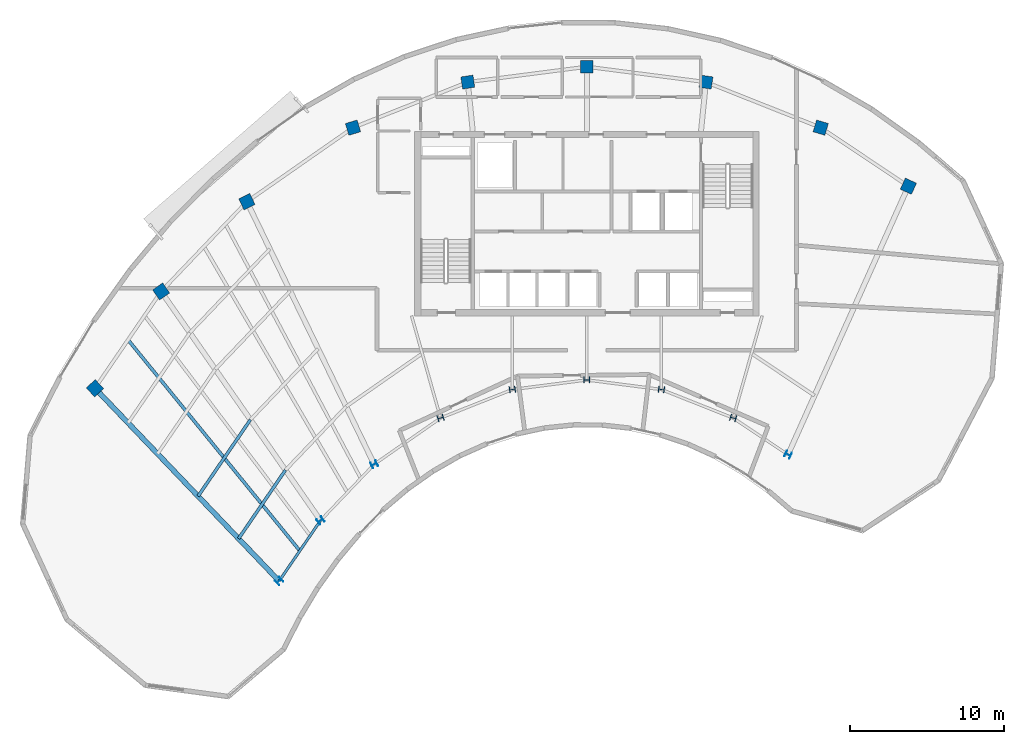
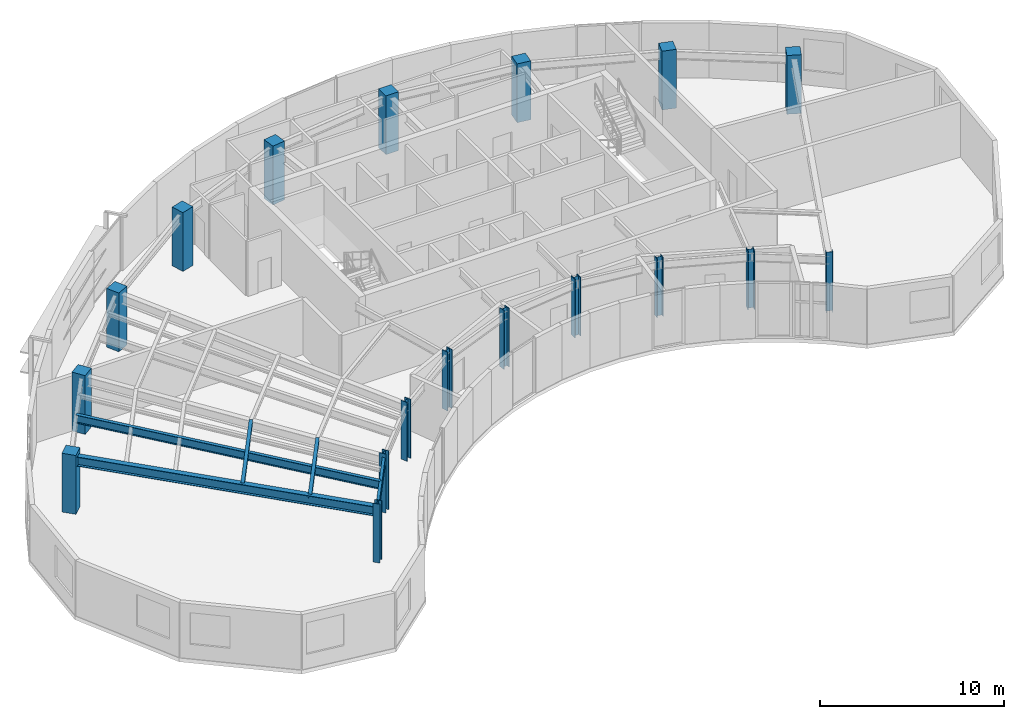
# One storey, part 1 of 12: 18 columns, 5 beams.
"""IFC4 building model written with IfcOpenShell, lengths in metres."""

import ifcopenshell
import ifcopenshell.guid

model = None  # the IFC model being written
_history = None  # IfcOwnerHistory: only IFC2X3 demands one
_inside = {}  # id of a spatial element -> (the spatial element, [elements in it])
_under = {}  # id of a project, library or spatial element -> (it, [spatial elements below it])
_declared = {}  # id of a project -> (the project, [libraries it declares])
_typed = {}  # id of a type object -> (the type object, [elements of that type])
_made_of = {}  # id of a material, layer set ... -> (it, [elements and type objects made of it])


def new_model(schema):
    """Start an empty IFC model of exactly this schema.

    Asked for "IFC4X3", IfcOpenShell would pick the latest addendum, in which some entities
    have other attributes; the version numbers below select the first issue.
    IFC2X3 requires an IfcOwnerHistory on every rooted entity: one is made here for all.
    """
    global model, _history
    if schema == "IFC4X3":
        model = ifcopenshell.file(schema_version=(4, 3, 0, 0))
    else:
        model = ifcopenshell.file(schema=schema)
    _inside.clear()
    _under.clear()
    _declared.clear()
    _typed.clear()
    _made_of.clear()
    _history = None
    if model.schema == "IFC2X3":
        org = make("IfcOrganization", Name="unknown")
        user = make(
            "IfcPersonAndOrganization",
            ThePerson=make("IfcPerson", FamilyName="unknown"),
            TheOrganization=org,
        )
        app = make(
            "IfcApplication",
            ApplicationDeveloper=org,
            Version="unknown",
            ApplicationFullName="unknown",
            ApplicationIdentifier="unknown",
        )
        _history = make(
            "IfcOwnerHistory",
            OwningUser=user,
            OwningApplication=app,
            ChangeAction="ADDED",
            CreationDate=0,
        )
    return model


def make(cls, **values):
    """One entity of the class cls with the attributes given. An attribute that is None is left unset."""
    return model.create_entity(
        cls, **{name: value for name, value in values.items() if value is not None}
    )


def rooted(cls, **values):
    """An entity with a GlobalId (a new one), such as an element, a storey or a relation."""
    return make(cls, GlobalId=ifcopenshell.guid.new(), OwnerHistory=_history, **values)


def si_unit(unit_type, name, prefix=None):
    """IfcSIUnit, for example si_unit("LENGTHUNIT", "METRE", prefix="MILLI")."""
    return make("IfcSIUnit", UnitType=unit_type, Prefix=prefix, Name=name)


def assignment(units):
    """IfcUnitAssignment: the units of a project."""
    return None if units is None else make("IfcUnitAssignment", Units=units)


def point(xyz):
    """IfcCartesianPoint."""
    return None if xyz is None else make("IfcCartesianPoint", Coordinates=xyz)


def direction(xyz):
    """IfcDirection."""
    return None if xyz is None else make("IfcDirection", DirectionRatios=xyz)


def frame(location, z_axis=None, x_axis=None):
    """IfcAxis2Placement3D, a coordinate frame: its origin and axes. An axis left out is left unset."""
    return make(
        "IfcAxis2Placement3D",
        Location=point(location),
        Axis=direction(z_axis),
        RefDirection=direction(x_axis),
    )


def frame_2d(location, x_axis=None):
    """IfcAxis2Placement2D, a coordinate frame in the plane: its origin and x axis."""
    return make(
        "IfcAxis2Placement2D", Location=point(location), RefDirection=direction(x_axis)
    )


def origin():
    """The frame at (0, 0, 0) with its axes left unset."""
    return frame((0.0, 0.0, 0.0))


def origin_2d():
    """The frame at (0, 0) in the plane with its x axis left unset."""
    return frame_2d((0.0, 0.0))


def place(relative_to, where):
    """IfcLocalPlacement: puts the frame where relative to a parent placement (None: the world)."""
    return make(
        "IfcLocalPlacement", PlacementRelTo=relative_to, RelativePlacement=where
    )


def context(
    kind, dimensions, precision=None, world=None, true_north=None, identifier=None
):
    """IfcGeometricRepresentationContext, for example the 3D "Model" context."""
    return make(
        "IfcGeometricRepresentationContext",
        ContextIdentifier=identifier,
        ContextType=kind,
        CoordinateSpaceDimension=dimensions,
        Precision=precision,
        WorldCoordinateSystem=world,
        TrueNorth=true_north,
    )


def subcontext(parent, identifier, kind, view, scale=None):
    """IfcGeometricRepresentationSubContext, for example "Body" below "Model"."""
    return make(
        "IfcGeometricRepresentationSubContext",
        ContextIdentifier=identifier,
        ContextType=kind,
        ParentContext=parent,
        TargetScale=scale,
        TargetView=view,
    )


def project(units=None, contexts=None):
    """IfcProject with its units and contexts."""
    return rooted(
        "IfcProject",
        Name="project",
        RepresentationContexts=contexts,
        UnitsInContext=assignment(units),
    )


def spatial(cls, under=None, at=None, **own):
    """A site, building, storey or space (cls), placed at a placement, below another one or the project."""
    s = rooted(cls, ObjectPlacement=at, **own)
    if under is not None:
        _under.setdefault(under.id(), (under, []))[1].append(s)
    return s


def profile(cls, at=None, kind="AREA", **sizes):
    """A parametric profile (cls). Its sizes go by their IFC names, for example OverallWidth=200.0."""
    return make(cls, ProfileType=kind, Position=at, **sizes)


def rectangle(**sizes):
    """IfcRectangleProfileDef."""
    return profile("IfcRectangleProfileDef", **sizes)


def i_section(**sizes):
    """IfcIShapeProfileDef."""
    return profile("IfcIShapeProfileDef", **sizes)


def extrude(swept, where, along, depth):
    """IfcExtrudedAreaSolid: the profile swept, set in the frame where, extruded along a direction by depth."""
    return make(
        "IfcExtrudedAreaSolid",
        SweptArea=swept,
        Position=where,
        ExtrudedDirection=direction(along),
        Depth=depth,
    )


def shape(context_of_items, identifier, shape_type, items):
    """IfcShapeRepresentation: the items that make up one representation, for example the "Body"."""
    return make(
        "IfcShapeRepresentation",
        ContextOfItems=context_of_items,
        RepresentationIdentifier=identifier,
        RepresentationType=shape_type,
        Items=items,
    )


def source(mapping_origin, context_of_items, identifier, shape_type, items):
    """IfcRepresentationMap: a shape defined once, which mapped items show again and again."""
    return make(
        "IfcRepresentationMap",
        MappingOrigin=mapping_origin,
        MappedRepresentation=shape(context_of_items, identifier, shape_type, items),
    )


def transform(
    local_origin,
    x_axis=None,
    y_axis=None,
    z_axis=None,
    scale=None,
    scale2=None,
    scale3=None,
    uniform=True,
):
    """IfcCartesianTransformationOperator3D, or its non-uniform kind. x_axis, y_axis, z_axis: its Axis1, 2, 3."""
    if uniform:
        return make(
            "IfcCartesianTransformationOperator3D",
            Axis1=direction(x_axis),
            Axis2=direction(y_axis),
            LocalOrigin=point(local_origin),
            Scale=scale,
            Axis3=direction(z_axis),
        )
    return make(
        "IfcCartesianTransformationOperator3DnonUniform",
        Axis1=direction(x_axis),
        Axis2=direction(y_axis),
        LocalOrigin=point(local_origin),
        Scale=scale,
        Axis3=direction(z_axis),
        Scale2=scale2,
        Scale3=scale3,
    )


def mapped(mapping_source, mapping_target):
    """IfcMappedItem: shows the shape of a source again, moved by a transform."""
    return make(
        "IfcMappedItem", MappingSource=mapping_source, MappingTarget=mapping_target
    )


def material(Name=None, Category=None):
    """IfcMaterial."""
    return make("IfcMaterial", Name=Name, Category=Category)


def material_profile(
    of_material, cross_section, Name=None, Category=None, Priority=None
):
    """IfcMaterialProfile: a cross section and its material."""
    return make(
        "IfcMaterialProfile",
        Name=Name,
        Material=of_material,
        Profile=cross_section,
        Priority=Priority,
        Category=Category,
    )


def profile_set(profiles, Name=None, composite=None):
    """IfcMaterialProfileSet."""
    return make(
        "IfcMaterialProfileSet",
        Name=Name,
        MaterialProfiles=profiles,
        CompositeProfile=composite,
    )


def made_of(thing, what):
    """Note that an element or type object is made of a material, layer set ...; save() writes the relation."""
    if what is not None:
        _made_of.setdefault(what.id(), (what, []))[1].append(thing)
    return thing


def type_object(cls, material=None, **own):
    """A type object (cls), such as IfcWallType, which elements share."""
    return made_of(rooted(cls, **own), material)


def type_shapes(of_type, sources):
    """Give a type object the sources (RepresentationMaps) that its elements show as mapped items."""
    of_type.RepresentationMaps = sources


def element(
    cls,
    number,
    at=None,
    inside=None,
    cuts=None,
    type_object=None,
    material=None,
    context=None,
    identifier="Body",
    shape_type=None,
    held_by="IfcProductDefinitionShape",
    body=None,
    shapes=None,
    **own,
):
    """One element of the class cls, such as IfcWall. Its Tag is "e" and its number.

    at: its placement. inside: the storey or other place that contains it. cuts: it is an
    opening in that element (IfcRelVoidsElement). A single representation is given by context,
    identifier, shape_type and body (its items); several are given by shapes. held_by: the class
    of the entity that holds the representations. save() writes the other relations.
    """
    e = rooted(cls, Tag="e%d" % number, ObjectPlacement=at, **own)
    if body is not None:
        shapes = [shape(context, identifier, shape_type, body)]
    if shapes is not None:
        e.Representation = make(held_by, Representations=shapes)
    if inside is not None:
        _inside.setdefault(inside.id(), (inside, []))[1].append(e)
    if cuts is not None:
        rooted(
            "IfcRelVoidsElement", RelatingBuildingElement=cuts, RelatedOpeningElement=e
        )
    if type_object is not None:
        _typed.setdefault(type_object.id(), (type_object, []))[1].append(e)
    return made_of(e, material)


def aggregate(whole, parts):
    """IfcRelAggregates: a whole, such as a stair, and the parts it consists of."""
    return rooted("IfcRelAggregates", RelatingObject=whole, RelatedObjects=parts)


def save(model, path):
    """Write the relations noted so far, then the file.

    IfcRelAggregates (storeys below a building ...), IfcRelContainedInSpatialStructure (elements
    in a storey), IfcRelDefinesByType, IfcRelAssociatesMaterial and IfcRelDeclares: one each for
    every whole, place, type object, material and project.
    """
    for whole, parts in _under.values():
        aggregate(whole, parts)
    for where, things in _inside.values():
        rooted(
            "IfcRelContainedInSpatialStructure",
            RelatedElements=things,
            RelatingStructure=where,
        )
    for kind, things in _typed.values():
        rooted("IfcRelDefinesByType", RelatedObjects=things, RelatingType=kind)
    for what, things in _made_of.values():
        rooted("IfcRelAssociatesMaterial", RelatedObjects=things, RelatingMaterial=what)
    for by, libraries in _declared.values():
        rooted("IfcRelDeclares", RelatingContext=by, RelatedDefinitions=libraries)
    model.write(path)


model = new_model("IFC4")

# Units and contexts
model_context = context("Model", 3, precision=1e-05, world=origin(), true_north=direction((0.0, 1.0)))
body_context = subcontext(model_context, "Body", "Model", "MODEL_VIEW")
ifc_project = project(units=[si_unit("LENGTHUNIT", "METRE"), si_unit("AREAUNIT", "SQUARE_METRE"), si_unit("VOLUMEUNIT", "CUBIC_METRE"), si_unit("PLANEANGLEUNIT", "RADIAN"), si_unit("MASSUNIT", "GRAM", prefix="KILO")], contexts=[model_context])

# Site, building, storey
site_placement = place(None, origin())
site = spatial("IfcSite", under=ifc_project, at=site_placement, CompositionType="ELEMENT")
building_placement = place(site_placement, origin())
building = spatial("IfcBuilding", under=site, at=building_placement, Name="Breltana Convention Tower", CompositionType="ELEMENT")
storey_placement = place(building_placement, frame((0.0, 0.0, 267.89990234375)))
storey = spatial("IfcBuildingStorey", under=building, at=storey_placement, Name="L65", CompositionType="ELEMENT", Elevation=267.89990234375)

# Columns
ifc_material_1 = material(Name="Steel ASTM A992 Grade 50", Category="steel")
ifc_material_profile_1 = material_profile(ifc_material_1, i_section(OverallWidth=0.39892578125, OverallDepth=0.386962890625, WebThickness=0.02099609375, FlangeThickness=0.033203125, at=origin_2d()), Name="W14X176")
ifc_profile_set_1 = profile_set([ifc_material_profile_1], Name="Steel ASTM A992 Grade 50")
column_type_1 = type_object("IfcColumnType", Name="COL-STL-W14X176", PredefinedType="COLUMN", material=ifc_profile_set_1)
shared_shape_1 = source(origin(), body_context, "Body", "SweptSolid", [
    extrude(i_section(OverallWidth=0.39892578125, OverallDepth=0.386962890625, WebThickness=0.02099609375, FlangeThickness=0.033203125, at=origin_2d()), origin(), (0.0, 0.0, 1.0), 3.900146484375),
])
for number, where, z_axis, x_axis, name in (
    (1, (27.984619140625, 42.95458984375, 0.0), (0.0, 0.0, 1.0), (-0.690756218984, 0.723087716626, 0.0), "L65 Tower Column R01-IN"),
    (2, (30.67724609375, 46.892333984375, 0.0), (0.0, 0.0, 1.0), (-0.571143442153, 0.820850271661, 0.0), "L65 Tower Column R02-IN"),
    (3, (34.166259765625, 50.544921875, 0.0), (0.0, 0.0, 1.0), (-0.436173672171, 0.899862504889, 0.0), "L65 Tower Column R03-IN"),
    (4, (38.485107421875, 53.5576171875, 0.0), (0.0, 0.0, 1.0), (-0.288697611798, 0.957420330337, 0.0), "L65 Tower Column R04-IN"),
    (5, (43.153564453125, 55.41064453125, 0.0), (0.0, 0.0, 1.0), (-0.143492621991, 0.98965138682, 0.0), "L65 Tower Column R05-IN"),
    (6, (48.0, 56.035888671875, 0.0), (0.0, 0.0, 1.0), (0.0, 1.0, 0.0), "L65 Tower Column R06-IN"),
    (7, (52.846435546875, 55.41064453125, 0.0), (0.0, 0.0, 1.0), (0.143492621991, 0.98965138682, 0.0), "L65 Tower Column R07-IN"),
    (8, (57.514892578125, 53.5576171875, 0.0), (0.0, 0.0, 1.0), (0.288697611798, 0.957420330337, 0.0), "L65 Tower Column R08-IN"),
    (9, (61.08203125, 51.174560546875, 0.0), (0.0, 0.0, 1.0), (0.409126902895, 0.912477494148, 0.0), "L65 Tower Column R09-IN"),
):
    element("IfcColumn", number, at=place(storey_placement, frame(where, z_axis=z_axis, x_axis=x_axis)), inside=storey, type_object=column_type_1, Name=name, PredefinedType="COLUMN", context=body_context, shape_type="MappedRepresentation", body=[
        mapped(shared_shape_1, transform((0.0, 0.0, 0.0), scale=1.0)),
    ])
ifc_material_2 = material(Name="Concrete C50/60", Category="concrete")
ifc_material_profile_2 = material_profile(ifc_material_2, rectangle(XDim=0.800048828125, YDim=0.800048828125, at=origin_2d()), Name="RC-COL-800X800")
ifc_profile_set_2 = profile_set([ifc_material_profile_2], Name="Concrete C50/60")
column_type_2 = type_object("IfcColumnType", Name="COL-RC-800", PredefinedType="COLUMN", material=ifc_profile_set_2)
shared_shape_2 = source(origin(), body_context, "Body", "SweptSolid", [
    extrude(rectangle(XDim=0.800048828125, YDim=0.800048828125, at=origin_2d()), origin(), (0.0, 0.0, 1.0), 3.900146484375),
])
for number, where, z_axis, x_axis, name in (
    (10, (16.0068359375, 55.494384765625, 0.0), (0.0, 0.0, 1.0), (-0.690756218984, 0.723087716626, 0.0), "L65 Tower Column R01-OUT"),
    (11, (20.310791015625, 61.78857421875, 0.0), (0.0, 0.0, 1.0), (-0.571143442153, 0.820850271661, 0.0), "L65 Tower Column R02-OUT"),
    (12, (25.8876953125, 67.626953125, 0.0), (0.0, 0.0, 1.0), (-0.436173672171, 0.899862504889, 0.0), "L65 Tower Column R03-OUT"),
    (13, (32.791015625, 72.4423828125, 0.0), (0.0, 0.0, 1.0), (-0.288697611798, 0.957420330337, 0.0), "L65 Tower Column R04-OUT"),
    (14, (40.253173828125, 75.404296875, 0.0), (0.0, 0.0, 1.0), (-0.143492621991, 0.98965138682, 0.0), "L65 Tower Column R05-OUT"),
    (15, (48.0, 76.404052734375, 0.0), (0.0, 0.0, 1.0), (0.0, 1.0, 0.0), "L65 Tower Column R06-OUT"),
    (16, (55.746826171875, 75.404296875, 0.0), (0.0, 0.0, 1.0), (0.143492621991, 0.98965138682, 0.0), "L65 Tower Column R07-OUT"),
    (17, (63.208984375, 72.4423828125, 0.0), (0.0, 0.0, 1.0), (0.288697611798, 0.957420330337, 0.0), "L65 Tower Column R08-OUT"),
    (18, (68.910400390625, 68.63330078125, 0.0), (0.0, 0.0, 1.0), (0.409126902895, 0.912477494148, 0.0), "L65 Tower Column R09-OUT"),
):
    element("IfcColumn", number, at=place(storey_placement, frame(where, z_axis=z_axis, x_axis=x_axis)), inside=storey, type_object=column_type_2, Name=name, PredefinedType="COLUMN", context=body_context, shape_type="MappedRepresentation", body=[
        mapped(shared_shape_2, transform((0.0, 0.0, 0.0), scale=1.0)),
    ])

# Beams
ifc_material_profile_3 = material_profile(ifc_material_1, i_section(OverallWidth=0.166015625, OverallDepth=0.534912109375, WebThickness=0.01025390625, FlangeThickness=0.0166015625, at=origin_2d()), Name="W21X57")
ifc_profile_set_3 = profile_set([ifc_material_profile_3], Name="Steel ASTM A992 Grade 50")
beam_type_1 = type_object("IfcBeamType", Name="BM-BM-W21X57", PredefinedType="BEAM", material=ifc_profile_set_3)
shared_shape_3 = source(origin(), body_context, "Body", "SweptSolid", [
    extrude(i_section(OverallWidth=0.166015625, OverallDepth=0.534912109375, WebThickness=0.01025390625, FlangeThickness=0.0166015625, at=origin_2d()), origin(), (0.0, 0.0, 1.0), 4.770263671875),
])
beam_1_placement = place(storey_placement, frame((27.984619140625, 42.95458984375, 3.382568359375), z_axis=(0.564452719055, 0.82546540082, 0.0), x_axis=(-0.82546540082, 0.564452719055, 0.0)))
element("IfcBeam", 19, at=beam_1_placement, inside=storey, type_object=beam_type_1, Name="L65 Inner Ring Beam 01", PredefinedType="BEAM", context=body_context, shape_type="MappedRepresentation", body=[
    mapped(shared_shape_3, transform((0.0, 0.0, 0.0), scale=1.0)),
])
ifc_material_profile_4 = material_profile(ifc_material_1, i_section(OverallWidth=0.201904296875, OverallDepth=0.2470703125, WebThickness=0.00732421875, FlangeThickness=0.010986328125, at=origin_2d()), Name="W10X33")
ifc_profile_set_4 = profile_set([ifc_material_profile_4], Name="Steel ASTM A992 Grade 50")
beam_type_2 = type_object("IfcBeamType", Name="BM-JSG-11", PredefinedType="JOIST", material=ifc_profile_set_4)
shared_shape_4 = source(origin(), body_context, "Body", "SweptSolid", [
    extrude(i_section(OverallWidth=0.201904296875, OverallDepth=0.2470703125, WebThickness=0.00732421875, FlangeThickness=0.010986328125, at=origin_2d()), origin(), (0.0, 0.0, 1.0), 5.3984375),
])
beam_2_placement = place(storey_placement, frame((25.349365234375, 45.71337890625, 3.526611328125), z_axis=(0.564440705434, 0.825473615599, 0.0), x_axis=(-0.825473615599, 0.564440705434, 0.0)))
element("IfcBeam", 20, at=beam_2_placement, inside=storey, type_object=beam_type_2, Name="L65 Composite Floor Joist 01.1", PredefinedType="JOIST", context=body_context, shape_type="MappedRepresentation", body=[
    mapped(shared_shape_4, transform((0.0, 0.0, 0.0), scale=1.0)),
])
shared_shape_5 = source(origin(), body_context, "Body", "SweptSolid", [
    extrude(i_section(OverallWidth=0.201904296875, OverallDepth=0.2470703125, WebThickness=0.00732421875, FlangeThickness=0.010986328125, at=origin_2d()), origin(), (0.0, 0.0, 1.0), 6.0263671875),
])
beam_3_placement = place(storey_placement, frame((22.71435546875, 48.47216796875, 3.526611328125), z_axis=(0.564450071397, 0.825467211281, 0.0), x_axis=(-0.825467211281, 0.564450071397, 0.0)))
element("IfcBeam", 21, at=beam_3_placement, inside=storey, type_object=beam_type_2, Name="L65 Composite Floor Joist 01.2", PredefinedType="JOIST", context=body_context, shape_type="MappedRepresentation", body=[
    mapped(shared_shape_5, transform((0.0, 0.0, 0.0), scale=1.0)),
])
ifc_material_profile_5 = material_profile(ifc_material_1, i_section(OverallWidth=0.2099609375, OverallDepth=0.537109375, WebThickness=0.010986328125, FlangeThickness=0.017333984375, at=origin_2d()), Name="W21X68")
ifc_profile_set_5 = profile_set([ifc_material_profile_5], Name="Steel ASTM A992 Grade 50")
beam_type_3 = type_object("IfcBeamType", Name="BM-JSG-04", PredefinedType="JOIST", material=ifc_profile_set_5)
shared_shape_6 = source(origin(), body_context, "Body", "SweptSolid", [
    extrude(i_section(OverallWidth=0.2099609375, OverallDepth=0.537109375, WebThickness=0.010986328125, FlangeThickness=0.017333984375, at=origin_2d()), origin(), (0.0, 0.0, 1.0), 17.691650390625),
])
beam_4_placement = place(storey_placement, frame((29.330810546875, 44.923583984375, 3.381591796875), z_axis=(-0.631476958478, 0.775394642044, 0.0), x_axis=(-0.775394642044, -0.631476958478, 0.0)))
element("IfcBeam", 22, at=beam_4_placement, inside=storey, type_object=beam_type_3, Name="L65 Mid-Bay Radial Trimmer 01", PredefinedType="JOIST", context=body_context, shape_type="MappedRepresentation", body=[
    mapped(shared_shape_6, transform((0.0, 0.0, 0.0), scale=1.0)),
])
ifc_material_profile_6 = material_profile(ifc_material_1, i_section(OverallWidth=0.326904296875, OverallDepth=0.6220703125, WebThickness=0.015380859375, FlangeThickness=0.0244140625, at=origin_2d()), Name="W24X131")
ifc_profile_set_6 = profile_set([ifc_material_profile_6], Name="Steel ASTM A992 Grade 50")
beam_type_4 = type_object("IfcBeamType", Name="BM-RG-W24X131", PredefinedType="USERDEFINED", material=ifc_profile_set_6)
shared_shape_7 = source(origin(), body_context, "Body", "SweptSolid", [
    extrude(i_section(OverallWidth=0.326904296875, OverallDepth=0.6220703125, WebThickness=0.015380859375, FlangeThickness=0.0244140625, at=origin_2d()), origin(), (0.0, 0.0, 1.0), 17.341064453125),
])
type_shapes(beam_type_4, [shared_shape_7])
beam_5_placement = place(storey_placement, frame((27.984619140625, 42.95458984375, 3.339111328125), z_axis=(-0.690716462293, 0.723125693581, 0.0), x_axis=(-0.723125693581, -0.690716462293, 0.0)))
element("IfcBeam", 23, at=beam_5_placement, inside=storey, type_object=beam_type_4, Name="L65 Radial Floor Girder R01", ObjectType="GIRDER", PredefinedType="USERDEFINED", context=body_context, shape_type="MappedRepresentation", body=[
    mapped(shared_shape_7, transform((0.0, 0.0, 0.0), scale=1.0)),
])

save(model, "model.ifc")
